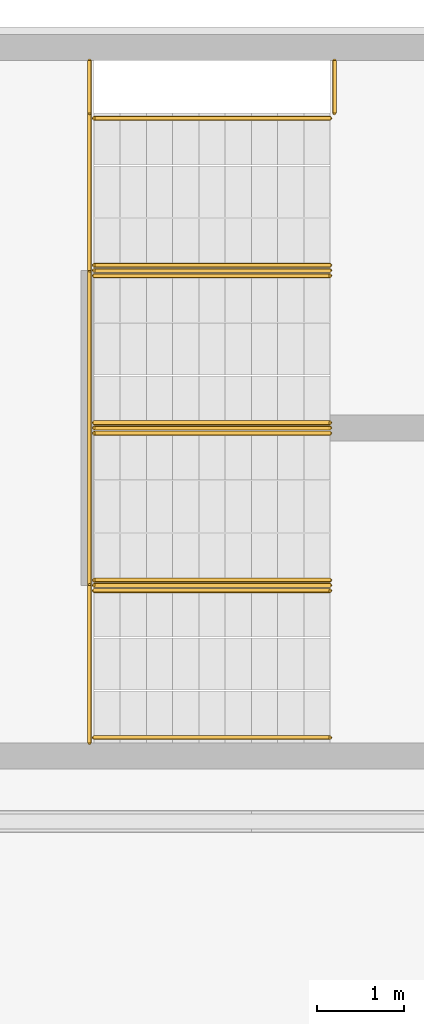
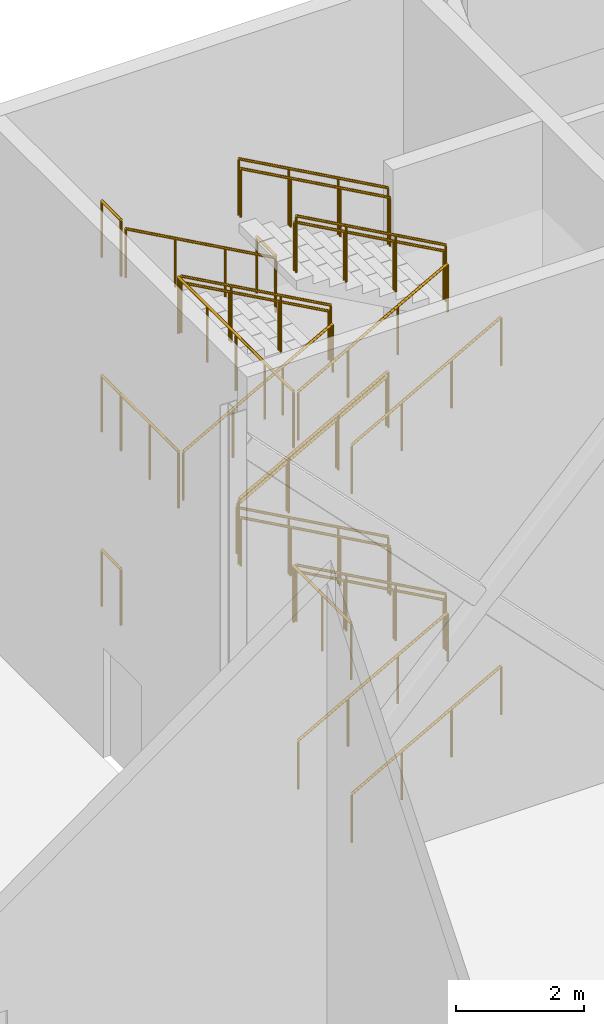
# One storey, part 110 of 111: 25 railings.
"""IFC4 building model written with IfcOpenShell, lengths in metres."""

from ifc_helpers import new_model, si_unit, direction, frame, origin, origin_2d, place, context, subcontext, project, spatial, circle, extrude, material, type_object, element, save


model = new_model("IFC4")

# Units and contexts
model_context = context("Model", 3, precision=1e-05, world=origin(), true_north=direction((0.0, 1.0)))
body_context = subcontext(model_context, "Body", "Model", "MODEL_VIEW")
ifc_project = project(units=[si_unit("LENGTHUNIT", "METRE"), si_unit("AREAUNIT", "SQUARE_METRE"), si_unit("VOLUMEUNIT", "CUBIC_METRE"), si_unit("PLANEANGLEUNIT", "RADIAN"), si_unit("MASSUNIT", "GRAM", prefix="KILO")], contexts=[model_context])

# Site, building, storey
site_placement = place(None, origin())
site = spatial("IfcSite", under=ifc_project, at=site_placement, CompositionType="ELEMENT")
building_placement = place(site_placement, origin())
building = spatial("IfcBuilding", under=site, at=building_placement, Name="Shorebreak Coast Museum", CompositionType="ELEMENT")
storey_placement = place(building_placement, frame((0.0, 0.0, 16.0)))
storey = spatial("IfcBuildingStorey", under=building, at=storey_placement, Name="L03", CompositionType="ELEMENT", Elevation=16.0)

# Railings
ifc_material_1 = material(Name="Steel Grade 300", Category="steel")
railing_type_1 = type_object("IfcRailingType", Name="Stair guard 1100", PredefinedType="GUARDRAIL", material=ifc_material_1)
for number, where, name in (
    (1, (101.64990234375, 108.89990234375, 3.333251953125), "Guard ST10 L03 landing mid1"),
    (2, (101.64990234375, 114.300048828125, 3.333251953125), "Guard ST10 L03 landing mid1"),
):
    element("IfcRailing", number, at=place(storey_placement, frame(where)), inside=storey, type_object=railing_type_1, Name=name, PredefinedType="GUARDRAIL", context=body_context, shape_type="SweptSolid", body=[
        extrude(circle(Radius=0.02490234375, at=origin_2d()), frame((0.0, 0.0, 1.0751953125), z_axis=(0.0, 1.0, 0.0), x_axis=(-1.0, 0.0, 0.0)), (0.0, 0.0, 1.0), 1.800048828125),
        extrude(circle(Radius=0.02001953125, at=origin_2d()), origin(), (0.0, 0.0, 1.0), 1.050048828125),
        extrude(circle(Radius=0.02001953125, at=origin_2d()), frame((0.0, 0.89990234375, 0.0)), (0.0, 0.0, 1.0), 1.050048828125),
        extrude(circle(Radius=0.02001953125, at=origin_2d()), frame((0.0, 1.800048828125, 0.0)), (0.0, 0.0, 1.0), 1.050048828125),
    ])
railing_1_placement = place(storey_placement, frame((101.64990234375, 110.699951171875, 6.666748046875)))
element("IfcRailing", 3, at=railing_1_placement, inside=storey, type_object=railing_type_1, Name="Guard ST10 L03 landing mid2", PredefinedType="GUARDRAIL", context=body_context, shape_type="SweptSolid", body=[
    extrude(circle(Radius=0.02490234375, at=origin_2d()), frame((0.0, 0.0, 1.0751953125), z_axis=(0.0, 1.0, 0.0), x_axis=(-1.0, 0.0, 0.0)), (0.0, 0.0, 1.0), 3.60009765625),
    extrude(circle(Radius=0.02001953125, at=origin_2d()), origin(), (0.0, 0.0, 1.0), 1.050048828125),
    extrude(circle(Radius=0.02001953125, at=origin_2d()), frame((0.0, 0.89990234375, 0.0)), (0.0, 0.0, 1.0), 1.050048828125),
    extrude(circle(Radius=0.02001953125, at=origin_2d()), frame((0.0, 1.800048828125, 0.0)), (0.0, 0.0, 1.0), 1.050048828125),
    extrude(circle(Radius=0.02001953125, at=origin_2d()), frame((0.0, 2.7001953125, 0.0)), (0.0, 0.0, 1.0), 1.050048828125),
    extrude(circle(Radius=0.02001953125, at=origin_2d()), frame((0.0, 3.60009765625, 0.0)), (0.0, 0.0, 1.0), 1.050048828125),
])
for number, where, name in (
    (4, (101.64990234375, 116.10009765625, 0.0), "Guard ST10 L03 landing strip"),
    (5, (101.64990234375, 116.10009765625, 3.333251953125), "Guard ST10 L03 landing strip"),
    (6, (101.64990234375, 116.10009765625, 6.666748046875), "Guard ST10 L03 landing strip"),
    (7, (104.449951171875, 116.10009765625, 5.0), "Guard ST10 L03 landing strip"),
):
    element("IfcRailing", number, at=place(storey_placement, frame(where)), inside=storey, type_object=railing_type_1, Name=name, PredefinedType="GUARDRAIL", context=body_context, shape_type="SweptSolid", body=[
        extrude(circle(Radius=0.02490234375, at=origin_2d()), frame((0.0, 0.0, 1.0751953125), z_axis=(0.0, 1.0, 0.0), x_axis=(-1.0, 0.0, 0.0)), (0.0, 0.0, 1.0), 0.599853515625),
        extrude(circle(Radius=0.02001953125, at=origin_2d()), origin(), (0.0, 0.0, 1.0), 1.050048828125),
        extrude(circle(Radius=0.02001953125, at=origin_2d()), frame((0.0, 0.599853515625, 0.0)), (0.0, 0.0, 1.0), 1.050048828125),
    ])
for number, where, name in (
    (8, (104.39990234375, 110.699951171875, 1.833251953125), "Guard ST10-L03 well 1"),
    (9, (104.39990234375, 114.300048828125, 5.166748046875), "Guard ST10-L03 well 2"),
    (10, (104.39990234375, 110.699951171875, 8.5), "Guard ST10-L03 well 3"),
    (11, (104.39990234375, 112.5, 1.833251953125), "Guard ST10-L03 side 1"),
):
    element("IfcRailing", number, at=place(storey_placement, frame(where)), inside=storey, type_object=railing_type_1, Name=name, PredefinedType="GUARDRAIL", context=body_context, shape_type="SweptSolid", body=[
        extrude(circle(Radius=0.02490234375, at=origin_2d()), frame((0.0, 0.0, 1.0751953125), z_axis=(-0.87415354758, 0.0, 0.485649642493), x_axis=(0.0, -1.0, 0.0)), (0.0, 0.0, 1.0), 3.088623046875),
        extrude(circle(Radius=0.02001953125, at=origin_2d()), origin(), (0.0, 0.0, 1.0), 1.050048828125),
        extrude(circle(Radius=0.02001953125, at=origin_2d()), frame((-0.89990234375, 0.0, 0.5)), (0.0, 0.0, 1.0), 1.050048828125),
        extrude(circle(Radius=0.02001953125, at=origin_2d()), frame((-1.800048828125, 0.0, 1.0)), (0.0, 0.0, 1.0), 1.050048828125),
        extrude(circle(Radius=0.02001953125, at=origin_2d()), frame((-2.699951171875, 0.0, 1.5)), (0.0, 0.0, 1.0), 1.050048828125),
    ])
railing_2_placement = place(storey_placement, frame((101.699951171875, 112.5, 3.5)))
element("IfcRailing", 12, at=railing_2_placement, inside=storey, type_object=railing_type_1, Name="Guard ST10-L03 side 2", PredefinedType="GUARDRAIL", context=body_context, shape_type="SweptSolid", body=[
    extrude(circle(Radius=0.02490234375, at=origin_2d()), frame((0.0, 0.0, 1.0751953125), z_axis=(0.87415354758, 0.0, 0.485649642493), x_axis=(0.0, 1.0, 0.0)), (0.0, 0.0, 1.0), 3.088623046875),
    extrude(circle(Radius=0.02001953125, at=origin_2d()), origin(), (0.0, 0.0, 1.0), 1.050048828125),
    extrude(circle(Radius=0.02001953125, at=origin_2d()), frame((0.89990234375, 0.0, 0.5)), (0.0, 0.0, 1.0), 1.050048828125),
    extrude(circle(Radius=0.02001953125, at=origin_2d()), frame((1.800048828125, 0.0, 1.0)), (0.0, 0.0, 1.0), 1.050048828125),
    extrude(circle(Radius=0.02001953125, at=origin_2d()), frame((2.699951171875, 0.0, 1.5)), (0.0, 0.0, 1.0), 1.050048828125),
])
railing_3_placement = place(storey_placement, frame((104.39990234375, 112.5, 8.5)))
element("IfcRailing", 13, at=railing_3_placement, inside=storey, type_object=railing_type_1, Name="Guard ST10-L03 side 3", PredefinedType="GUARDRAIL", context=body_context, shape_type="SweptSolid", body=[
    extrude(circle(Radius=0.02490234375, at=origin_2d()), frame((0.0, 0.0, 1.0751953125), z_axis=(-0.87415354758, 0.0, 0.485649642493), x_axis=(0.0, -1.0, 0.0)), (0.0, 0.0, 1.0), 3.088623046875),
    extrude(circle(Radius=0.02001953125, at=origin_2d()), origin(), (0.0, 0.0, 1.0), 1.050048828125),
    extrude(circle(Radius=0.02001953125, at=origin_2d()), frame((-0.89990234375, 0.0, 0.5)), (0.0, 0.0, 1.0), 1.050048828125),
    extrude(circle(Radius=0.02001953125, at=origin_2d()), frame((-1.800048828125, 0.0, 1.0)), (0.0, 0.0, 1.0), 1.050048828125),
    extrude(circle(Radius=0.02001953125, at=origin_2d()), frame((-2.699951171875, 0.0, 1.5)), (0.0, 0.0, 1.0), 1.050048828125),
])
ifc_material_2 = material(Name="Steel Grade 300", Category="steel")
railing_type_2 = type_object("IfcRailingType", Name="Stair handrail 950", PredefinedType="HANDRAIL", material=ifc_material_2)
for number, where, name in (
    (14, (101.699951171875, 108.9599609375, 0.166748046875), "Handrail ST10-L03 flight 1a"),
    (15, (101.699951171875, 110.639892578125, 0.166748046875), "Handrail ST10-L03 flight 1b"),
):
    element("IfcRailing", number, at=place(storey_placement, frame(where)), inside=storey, type_object=railing_type_2, Name=name, PredefinedType="HANDRAIL", context=body_context, shape_type="SweptSolid", body=[
        extrude(circle(Radius=0.02490234375, at=origin_2d()), frame((0.0, 0.0, 0.9248046875), z_axis=(0.87415354758, 0.0, 0.485649642493), x_axis=(0.0, 1.0, 0.0)), (0.0, 0.0, 1.0), 3.088623046875),
        extrude(circle(Radius=0.02001953125, at=origin_2d()), origin(), (0.0, 0.0, 1.0), 0.89990234375),
        extrude(circle(Radius=0.02001953125, at=origin_2d()), frame((0.89990234375, 0.0, 0.5)), (0.0, 0.0, 1.0), 0.89990234375),
        extrude(circle(Radius=0.02001953125, at=origin_2d()), frame((1.800048828125, 0.0, 1.0)), (0.0, 0.0, 1.0), 0.89990234375),
        extrude(circle(Radius=0.02001953125, at=origin_2d()), frame((2.699951171875, 0.0, 1.5)), (0.0, 0.0, 1.0), 0.89990234375),
    ])
for number, where, name in (
    (16, (104.39990234375, 110.760009765625, 1.833251953125), "Handrail ST10-L03 flight 2a"),
    (17, (104.39990234375, 112.43994140625, 1.833251953125), "Handrail ST10-L03 flight 2b"),
):
    element("IfcRailing", number, at=place(storey_placement, frame(where)), inside=storey, type_object=railing_type_2, Name=name, PredefinedType="HANDRAIL", context=body_context, shape_type="SweptSolid", body=[
        extrude(circle(Radius=0.02490234375, at=origin_2d()), frame((0.0, 0.0, 0.9248046875), z_axis=(-0.87415354758, 0.0, 0.485649642493), x_axis=(0.0, -1.0, 0.0)), (0.0, 0.0, 1.0), 3.088623046875),
        extrude(circle(Radius=0.02001953125, at=origin_2d()), origin(), (0.0, 0.0, 1.0), 0.89990234375),
        extrude(circle(Radius=0.02001953125, at=origin_2d()), frame((-0.89990234375, 0.0, 0.5)), (0.0, 0.0, 1.0), 0.89990234375),
        extrude(circle(Radius=0.02001953125, at=origin_2d()), frame((-1.800048828125, 0.0, 1.0)), (0.0, 0.0, 1.0), 0.89990234375),
        extrude(circle(Radius=0.02001953125, at=origin_2d()), frame((-2.699951171875, 0.0, 1.5)), (0.0, 0.0, 1.0), 0.89990234375),
    ])
for number, where, name in (
    (18, (101.699951171875, 112.56005859375, 3.5), "Handrail ST10-L03 flight 3a"),
    (19, (101.699951171875, 114.239990234375, 3.5), "Handrail ST10-L03 flight 3b"),
):
    element("IfcRailing", number, at=place(storey_placement, frame(where)), inside=storey, type_object=railing_type_2, Name=name, PredefinedType="HANDRAIL", context=body_context, shape_type="SweptSolid", body=[
        extrude(circle(Radius=0.02490234375, at=origin_2d()), frame((0.0, 0.0, 0.9248046875), z_axis=(0.87415354758, 0.0, 0.485649642493), x_axis=(0.0, 1.0, 0.0)), (0.0, 0.0, 1.0), 3.088623046875),
        extrude(circle(Radius=0.02001953125, at=origin_2d()), origin(), (0.0, 0.0, 1.0), 0.89990234375),
        extrude(circle(Radius=0.02001953125, at=origin_2d()), frame((0.89990234375, 0.0, 0.5)), (0.0, 0.0, 1.0), 0.89990234375),
        extrude(circle(Radius=0.02001953125, at=origin_2d()), frame((1.800048828125, 0.0, 1.0)), (0.0, 0.0, 1.0), 0.89990234375),
        extrude(circle(Radius=0.02001953125, at=origin_2d()), frame((2.699951171875, 0.0, 1.5)), (0.0, 0.0, 1.0), 0.89990234375),
    ])
for number, where, name in (
    (20, (104.39990234375, 114.360107421875, 5.166748046875), "Handrail ST10-L03 flight 4a"),
    (21, (104.39990234375, 116.0400390625, 5.166748046875), "Handrail ST10-L03 flight 4b"),
):
    element("IfcRailing", number, at=place(storey_placement, frame(where)), inside=storey, type_object=railing_type_2, Name=name, PredefinedType="HANDRAIL", context=body_context, shape_type="SweptSolid", body=[
        extrude(circle(Radius=0.02490234375, at=origin_2d()), frame((0.0, 0.0, 0.9248046875), z_axis=(-0.87415354758, 0.0, 0.485649642493), x_axis=(0.0, -1.0, 0.0)), (0.0, 0.0, 1.0), 3.088623046875),
        extrude(circle(Radius=0.02001953125, at=origin_2d()), origin(), (0.0, 0.0, 1.0), 0.89990234375),
        extrude(circle(Radius=0.02001953125, at=origin_2d()), frame((-0.89990234375, 0.0, 0.5)), (0.0, 0.0, 1.0), 0.89990234375),
        extrude(circle(Radius=0.02001953125, at=origin_2d()), frame((-1.800048828125, 0.0, 1.0)), (0.0, 0.0, 1.0), 0.89990234375),
        extrude(circle(Radius=0.02001953125, at=origin_2d()), frame((-2.699951171875, 0.0, 1.5)), (0.0, 0.0, 1.0), 0.89990234375),
    ])
for number, where, name in (
    (22, (101.699951171875, 108.9599609375, 6.833251953125), "Handrail ST10-L03 flight 5a"),
    (23, (101.699951171875, 110.639892578125, 6.833251953125), "Handrail ST10-L03 flight 5b"),
):
    element("IfcRailing", number, at=place(storey_placement, frame(where)), inside=storey, type_object=railing_type_2, Name=name, PredefinedType="HANDRAIL", context=body_context, shape_type="SweptSolid", body=[
        extrude(circle(Radius=0.02490234375, at=origin_2d()), frame((0.0, 0.0, 0.9248046875), z_axis=(0.87415354758, 0.0, 0.485649642493), x_axis=(0.0, 1.0, 0.0)), (0.0, 0.0, 1.0), 3.088623046875),
        extrude(circle(Radius=0.02001953125, at=origin_2d()), origin(), (0.0, 0.0, 1.0), 0.89990234375),
        extrude(circle(Radius=0.02001953125, at=origin_2d()), frame((0.89990234375, 0.0, 0.5)), (0.0, 0.0, 1.0), 0.89990234375),
        extrude(circle(Radius=0.02001953125, at=origin_2d()), frame((1.800048828125, 0.0, 1.0)), (0.0, 0.0, 1.0), 0.89990234375),
        extrude(circle(Radius=0.02001953125, at=origin_2d()), frame((2.699951171875, 0.0, 1.5)), (0.0, 0.0, 1.0), 0.89990234375),
    ])
for number, where, name in (
    (24, (104.39990234375, 110.760009765625, 8.5), "Handrail ST10-L03 flight 6a"),
    (25, (104.39990234375, 112.43994140625, 8.5), "Handrail ST10-L03 flight 6b"),
):
    element("IfcRailing", number, at=place(storey_placement, frame(where)), inside=storey, type_object=railing_type_2, Name=name, PredefinedType="HANDRAIL", context=body_context, shape_type="SweptSolid", body=[
        extrude(circle(Radius=0.02490234375, at=origin_2d()), frame((0.0, 0.0, 0.9248046875), z_axis=(-0.87415354758, 0.0, 0.485649642493), x_axis=(0.0, -1.0, 0.0)), (0.0, 0.0, 1.0), 3.088623046875),
        extrude(circle(Radius=0.02001953125, at=origin_2d()), origin(), (0.0, 0.0, 1.0), 0.89990234375),
        extrude(circle(Radius=0.02001953125, at=origin_2d()), frame((-0.89990234375, 0.0, 0.5)), (0.0, 0.0, 1.0), 0.89990234375),
        extrude(circle(Radius=0.02001953125, at=origin_2d()), frame((-1.800048828125, 0.0, 1.0)), (0.0, 0.0, 1.0), 0.89990234375),
        extrude(circle(Radius=0.02001953125, at=origin_2d()), frame((-2.699951171875, 0.0, 1.5)), (0.0, 0.0, 1.0), 0.89990234375),
    ])

save(model, "model.ifc")
